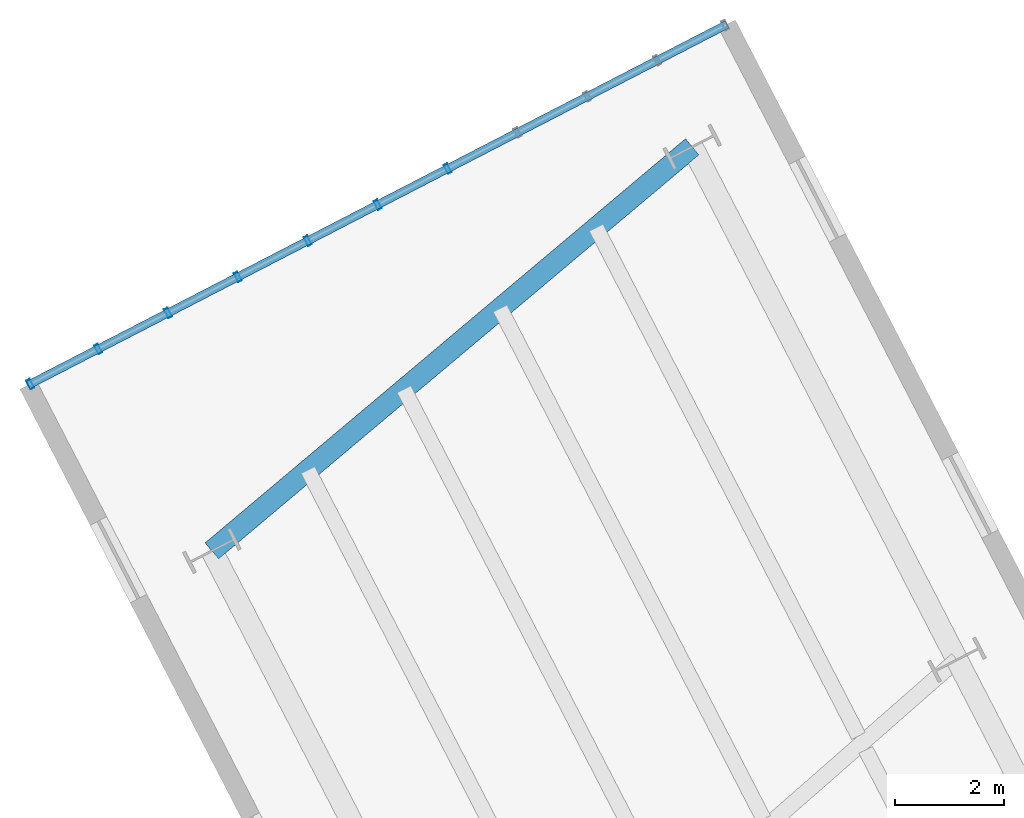
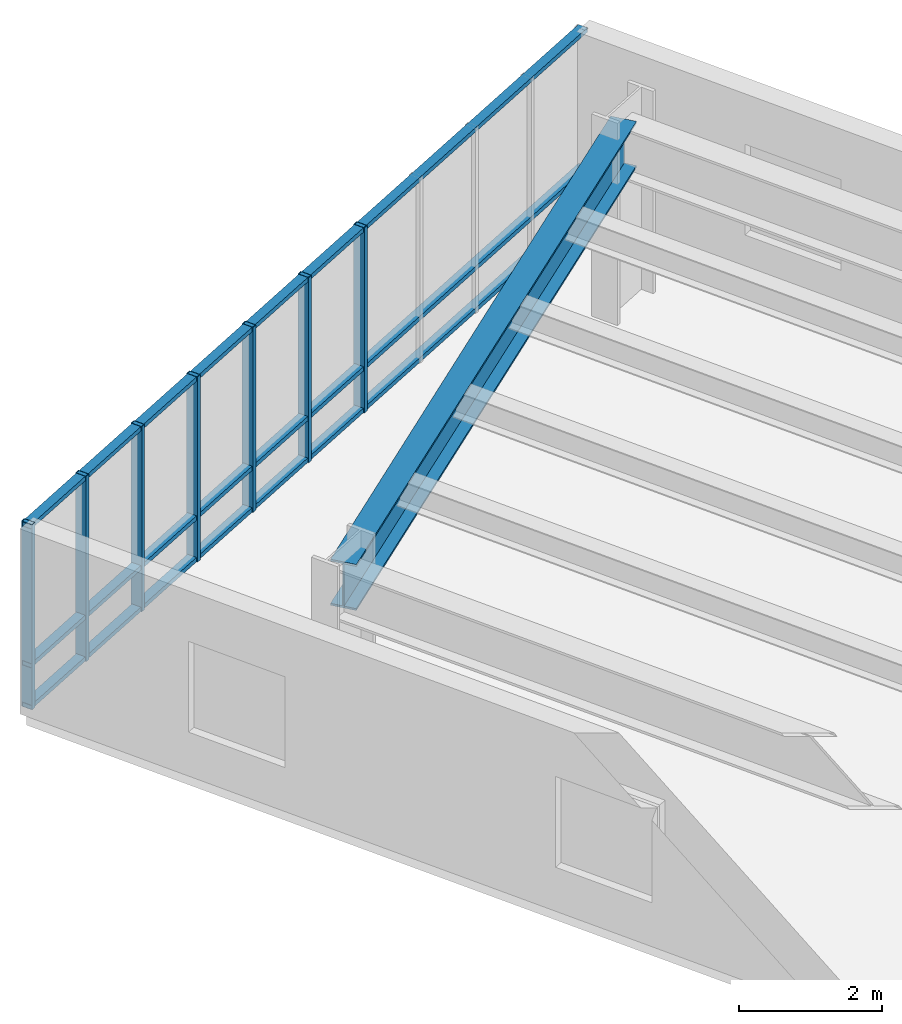
# One storey, part 3 of 11: 10 members, 1 beam, 1 element without a shape of its own.
"""IFC4 building model written with IfcOpenShell, lengths in metres."""

from ifc_helpers import new_model, si_unit, direction, frame, origin, origin_2d, place, context, subcontext, project, spatial, hollow_rectangle, i_section, extrude, material, layer, layer_set, material_profile, profile_set, type_object, element, aggregate, save


model = new_model("IFC4")

# Units and contexts
model_context = context("Model", 3, precision=1e-05, world=origin(), true_north=direction((0.0, 1.0)))
body_context = subcontext(model_context, "Body", "Model", "MODEL_VIEW")
ifc_project = project(units=[si_unit("LENGTHUNIT", "METRE"), si_unit("AREAUNIT", "SQUARE_METRE"), si_unit("VOLUMEUNIT", "CUBIC_METRE"), si_unit("PLANEANGLEUNIT", "RADIAN"), si_unit("MASSUNIT", "GRAM", prefix="KILO"), si_unit("THERMODYNAMICTEMPERATUREUNIT", "KELVIN"), si_unit("POWERUNIT", "WATT")], contexts=[model_context])

# Site, building, storey
site_placement = place(None, origin())
site = spatial("IfcSite", under=ifc_project, at=site_placement, CompositionType="ELEMENT")
building_placement = place(site_placement, origin())
building = spatial("IfcBuilding", under=site, at=building_placement, Name="Skarre Station Tower", CompositionType="ELEMENT")
storey_placement = place(building_placement, frame((0.0, 0.0, 139.5)))
storey = spatial("IfcBuildingStorey", under=building, at=storey_placement, Name="L37", CompositionType="ELEMENT", Elevation=139.5)

# Curtain wall, members
ifc_material_1 = material(Name="Thermally Broken Bronze-Anodized Aluminium & Triple Low-E Glass", Category="aluminium")
ifc_layer = layer(ifc_material_1, 0.2099609375, Name="Thermally Broken Bronze-Anodized Aluminium & Triple Low-E Glass")
ifc_layer_set = layer_set([ifc_layer], Name="Thermally Broken Bronze-Anodized Aluminium & Triple Low-E Glass")
curtain_wall_type = type_object("IfcCurtainWallType", Name="Sky-Bar Prow Structural Glazed Curtain Wall", PredefinedType="NOTDEFINED", material=ifc_layer_set)
curtain_wall_placement = place(storey_placement, origin())
curtain_wall = element("IfcCurtainWall", 1, at=curtain_wall_placement, inside=storey, type_object=curtain_wall_type, Name="L37 SB-3 Lakefront Prow Curtain Wall", PredefinedType="NOTDEFINED")
ifc_material_2 = material(Name="Anodized Aluminium 6063-T6", Category="aluminium")
ifc_material_profile_1 = material_profile(ifc_material_2, hollow_rectangle(XDim=0.074951171875, YDim=0.14990234375, WallThickness=0.00390625, at=origin_2d()), Name="Anodized Aluminium 6063-T6")
ifc_profile_set_1 = profile_set([ifc_material_profile_1], Name="Anodized Aluminium 6063-T6")
member_type_1 = type_object("IfcMemberType", Name="Curtain-Wall Secondary Transom 150x75", PredefinedType="USERDEFINED", material=ifc_profile_set_1)
member_1_placement = place(storey_placement, frame((10.279052734375, 54.006103515625, 0.0400390625), z_axis=(0.888602378714, 0.458678332324, 0.0), x_axis=(0.0, 0.0, 1.0)))
member_1 = element("IfcMember", 2, at=member_1_placement, type_object=member_type_1, Name="L37 SB-3 Lakefront Prow Curtain Wall Transom 1", ObjectType="TRANSOM", PredefinedType="USERDEFINED", context=body_context, shape_type="SweptSolid", body=[
    extrude(hollow_rectangle(XDim=0.074951171875, YDim=0.14990234375, WallThickness=0.00390625, at=origin_2d()), origin(), (0.0, 0.0, 1.0), 14.400146484375),
])
member_2_placement = place(storey_placement, frame((10.279052734375, 54.006103515625, 0.75), z_axis=(0.888602378714, 0.458678332324, 0.0), x_axis=(0.0, 0.0, 1.0)))
member_2 = element("IfcMember", 3, at=member_2_placement, type_object=member_type_1, Name="L37 SB-3 Lakefront Prow Curtain Wall Transom 2", ObjectType="TRANSOM", PredefinedType="USERDEFINED", context=body_context, shape_type="SweptSolid", body=[
    extrude(hollow_rectangle(XDim=0.074951171875, YDim=0.14990234375, WallThickness=0.00390625, at=origin_2d()), origin(), (0.0, 0.0, 1.0), 14.400146484375),
])
member_3_placement = place(storey_placement, frame((10.279052734375, 54.006103515625, 3.1201171875), z_axis=(0.888602378714, 0.458678332324, 0.0), x_axis=(0.0, 0.0, 1.0)))
member_3 = element("IfcMember", 4, at=member_3_placement, type_object=member_type_1, Name="L37 SB-3 Lakefront Prow Curtain Wall Transom 3", ObjectType="TRANSOM", PredefinedType="USERDEFINED", context=body_context, shape_type="SweptSolid", body=[
    extrude(hollow_rectangle(XDim=0.074951171875, YDim=0.14990234375, WallThickness=0.00390625, at=origin_2d()), origin(), (0.0, 0.0, 1.0), 14.400146484375),
])
ifc_material_profile_2 = material_profile(ifc_material_2, hollow_rectangle(XDim=0.074951171875, YDim=0.179931640625, WallThickness=0.00390625, at=origin_2d()), Name="Anodized Aluminium 6063-T6")
ifc_profile_set_2 = profile_set([ifc_material_profile_2], Name="Anodized Aluminium 6063-T6")
member_type_2 = type_object("IfcMemberType", Name="Curtain-Wall Unitised Tower Mullion 180x75", PredefinedType="MULLION", material=ifc_profile_set_2)
member_4_placement = place(storey_placement, frame((10.31494140625, 54.02392578125, 0.0), z_axis=(0.0, 0.0, 1.0), x_axis=(0.888601222224, 0.458680572798, 0.0)))
member_4 = element("IfcMember", 5, at=member_4_placement, type_object=member_type_2, Name="L37 SB-3 Lakefront Prow Curtain Wall Mullion 1", PredefinedType="MULLION", context=body_context, shape_type="SweptSolid", body=[
    extrude(hollow_rectangle(XDim=0.074951171875, YDim=0.179931640625, WallThickness=0.00390625, at=origin_2d()), origin(), (0.0, 0.0, 1.0), 3.159912109375),
])
member_5_placement = place(storey_placement, frame((11.55908203125, 54.666015625, 0.0), z_axis=(0.0, 0.0, 1.0), x_axis=(0.888601222224, 0.458680572798, 0.0)))
member_5 = element("IfcMember", 6, at=member_5_placement, type_object=member_type_2, Name="L37 SB-3 Lakefront Prow Curtain Wall Mullion 2", PredefinedType="MULLION", context=body_context, shape_type="SweptSolid", body=[
    extrude(hollow_rectangle(XDim=0.074951171875, YDim=0.179931640625, WallThickness=0.00390625, at=origin_2d()), origin(), (0.0, 0.0, 1.0), 3.159912109375),
])
member_6_placement = place(storey_placement, frame((12.837890625, 55.326904296875, 0.0), z_axis=(0.0, 0.0, 1.0), x_axis=(0.888601222224, 0.458680572798, 0.0)))
member_6 = element("IfcMember", 7, at=member_6_placement, type_object=member_type_2, Name="L37 SB-3 Lakefront Prow Curtain Wall Mullion 3", PredefinedType="MULLION", context=body_context, shape_type="SweptSolid", body=[
    extrude(hollow_rectangle(XDim=0.074951171875, YDim=0.179931640625, WallThickness=0.00390625, at=origin_2d()), origin(), (0.0, 0.0, 1.0), 3.159912109375),
])
member_7_placement = place(storey_placement, frame((14.117919921875, 55.987060546875, 0.0), z_axis=(0.0, 0.0, 1.0), x_axis=(0.888601222224, 0.458680572798, 0.0)))
member_7 = element("IfcMember", 8, at=member_7_placement, type_object=member_type_2, Name="L37 SB-3 Lakefront Prow Curtain Wall Mullion 4", PredefinedType="MULLION", context=body_context, shape_type="SweptSolid", body=[
    extrude(hollow_rectangle(XDim=0.074951171875, YDim=0.179931640625, WallThickness=0.00390625, at=origin_2d()), origin(), (0.0, 0.0, 1.0), 3.159912109375),
])
member_8_placement = place(storey_placement, frame((15.39697265625, 56.64794921875, 0.0), z_axis=(0.0, 0.0, 1.0), x_axis=(0.888601222224, 0.458680572798, 0.0)))
member_8 = element("IfcMember", 9, at=member_8_placement, type_object=member_type_2, Name="L37 SB-3 Lakefront Prow Curtain Wall Mullion 5", PredefinedType="MULLION", context=body_context, shape_type="SweptSolid", body=[
    extrude(hollow_rectangle(XDim=0.074951171875, YDim=0.179931640625, WallThickness=0.00390625, at=origin_2d()), origin(), (0.0, 0.0, 1.0), 3.159912109375),
])
member_9_placement = place(storey_placement, frame((16.677001953125, 57.30810546875, 0.0), z_axis=(0.0, 0.0, 1.0), x_axis=(0.888601222224, 0.458680572798, 0.0)))
member_9 = element("IfcMember", 10, at=member_9_placement, type_object=member_type_2, Name="L37 SB-3 Lakefront Prow Curtain Wall Mullion 6", PredefinedType="MULLION", context=body_context, shape_type="SweptSolid", body=[
    extrude(hollow_rectangle(XDim=0.074951171875, YDim=0.179931640625, WallThickness=0.00390625, at=origin_2d()), origin(), (0.0, 0.0, 1.0), 3.159912109375),
])
member_10_placement = place(storey_placement, frame((17.95703125, 57.968994140625, 0.0), z_axis=(0.0, 0.0, 1.0), x_axis=(0.888601222224, 0.458680572798, 0.0)))
member_10 = element("IfcMember", 11, at=member_10_placement, type_object=member_type_2, Name="L37 SB-3 Lakefront Prow Curtain Wall Mullion 7", PredefinedType="MULLION", context=body_context, shape_type="SweptSolid", body=[
    extrude(hollow_rectangle(XDim=0.074951171875, YDim=0.179931640625, WallThickness=0.00390625, at=origin_2d()), origin(), (0.0, 0.0, 1.0), 3.159912109375),
])
aggregate(curtain_wall, [member_4, member_5, member_6, member_7, member_8, member_9, member_10, member_1, member_2, member_3])

# Beam
ifc_material_3 = material(Name="Steel ASTM A992 Grade 50", Category="steel")
ifc_material_profile_3 = material_profile(ifc_material_3, i_section(OverallWidth=0.384033203125, OverallDepth=0.785888671875, WebThickness=0.02001953125, FlangeThickness=0.032958984375, at=origin_2d()), Name="Steel ASTM A992 Grade 50")
ifc_profile_set_3 = profile_set([ifc_material_profile_3], Name="Steel ASTM A992 Grade 50")
beam_type = type_object("IfcBeamType", Name="Steel Spandrel W30X211", PredefinedType="SPANDREL", material=ifc_profile_set_3)
beam_placement = place(storey_placement, frame((22.43603515625, 58.367919921875, 2.76708984375), z_axis=(-0.765266948908, -0.643713054792, 0.0), x_axis=(0.643713054792, -0.765266948908, 0.0)))
element("IfcBeam", 12, at=beam_placement, inside=storey, type_object=beam_type, Name="L37 SB-3 Prow Spandrel Girder", PredefinedType="SPANDREL", context=body_context, shape_type="SweptSolid", body=[
    extrude(i_section(OverallWidth=0.384033203125, OverallDepth=0.785888671875, WebThickness=0.02001953125, FlangeThickness=0.032958984375, at=origin_2d()), origin(), (0.0, 0.0, 1.0), 11.49267578125),
])

save(model, "model.ifc")
